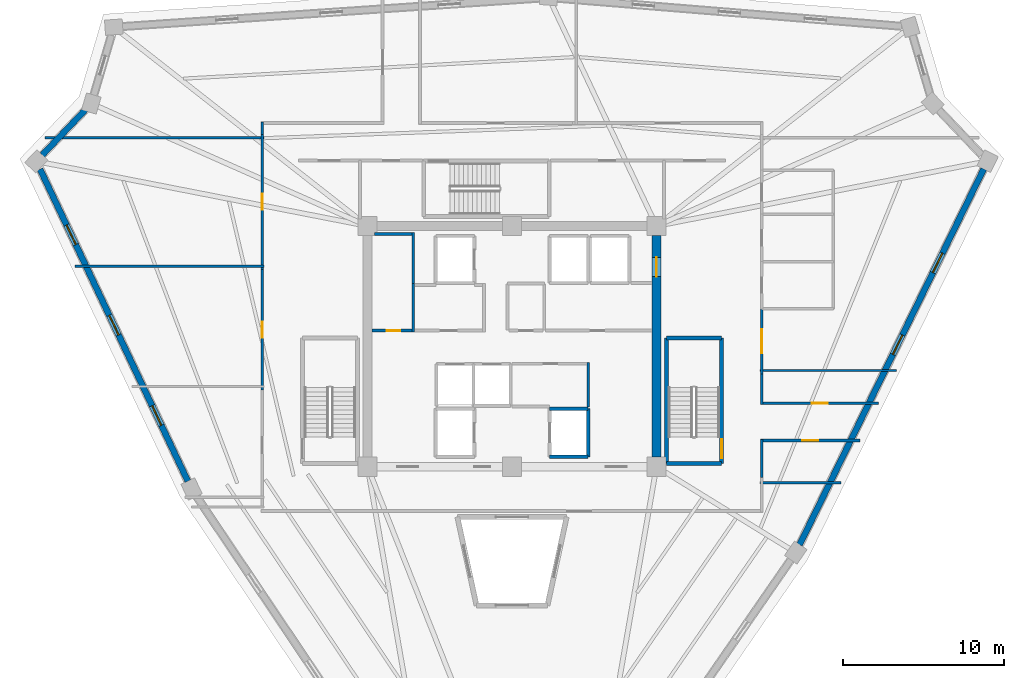
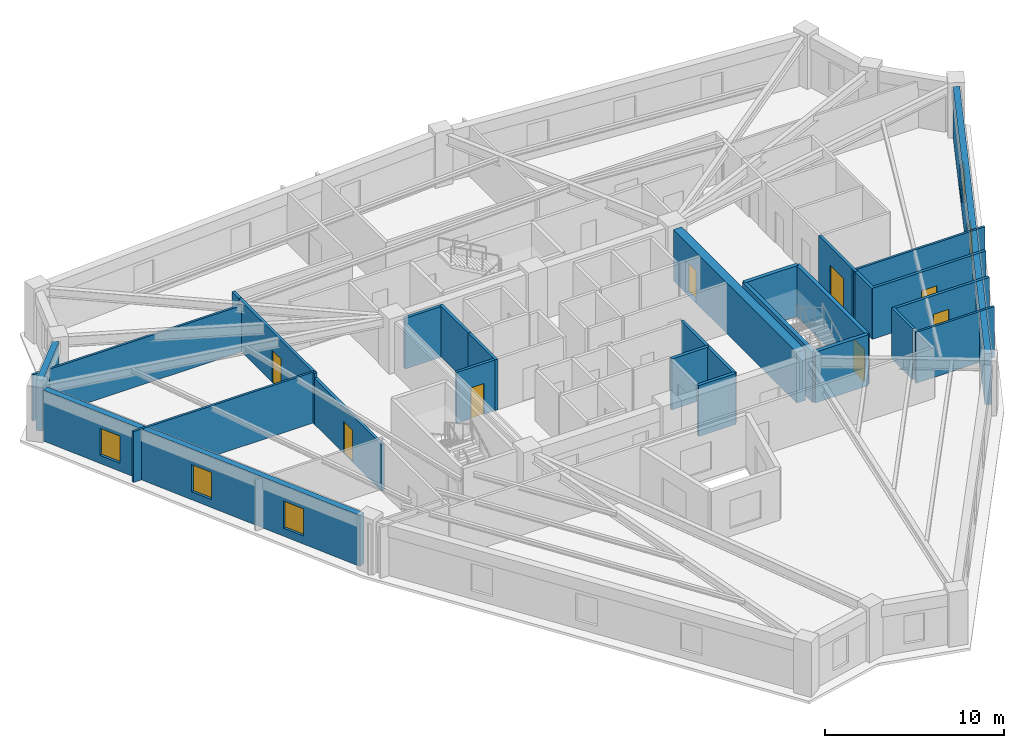
# One storey, part 4 of 8: 28 walls, 8 doors, 5 windows, 13 openings.
"""IFC4 building model written with IfcOpenShell, lengths in metres."""

from ifc_helpers import new_model, si_unit, direction, frame, frame_2d, origin, place, context, subcontext, project, spatial, rectangle, extrude, source, transform, mapped, material, layer, layer_set, type_object, element, fill, save


model = new_model("IFC4")

# Units and contexts
model_context = context("Model", 3, precision=1e-05, world=origin(), true_north=direction((0.0, 1.0)))
body_context = subcontext(model_context, "Body", "Model", "MODEL_VIEW")
ifc_project = project(units=[si_unit("LENGTHUNIT", "METRE"), si_unit("AREAUNIT", "SQUARE_METRE"), si_unit("VOLUMEUNIT", "CUBIC_METRE"), si_unit("PLANEANGLEUNIT", "RADIAN"), si_unit("MASSUNIT", "GRAM", prefix="KILO")], contexts=[model_context])

# Site, building, storey
site_placement = place(None, origin())
site = spatial("IfcSite", under=ifc_project, at=site_placement, CompositionType="ELEMENT")
building_placement = place(site_placement, origin())
building = spatial("IfcBuilding", under=site, at=building_placement, Name="Liaohun Quay Tower", CompositionType="ELEMENT")
storey_placement = place(building_placement, frame((0.0, 0.0, 320.25)))
storey = spatial("IfcBuildingStorey", under=building, at=storey_placement, Name="L83", CompositionType="ELEMENT", Elevation=320.25)

# Wall, opening, door
ifc_material_1 = material(Name="Concrete C50", Category="concrete")
ifc_layer_1 = layer(ifc_material_1, 0.550048828125, Name="Concrete C50", Category="concrete")
ifc_layer_set_1 = layer_set([ifc_layer_1], Name="Concrete C50")
wall_type_1 = type_object("IfcWallType", Name="WAL-COR-Z4", PredefinedType="SHEAR", material=ifc_layer_set_1)
wall_1_placement = place(storey_placement, frame((69.0, 60.89990234375, 0.0), z_axis=(0.0, 0.0, 1.0), x_axis=(0.0, -1.0, 0.0)))
wall_1 = element("IfcWall", 1, at=wall_1_placement, inside=storey, type_object=wall_type_1, Name="L83 Central Core Shear Wall E", PredefinedType="SHEAR", context=body_context, shape_type="SweptSolid", body=[
    extrude(rectangle(XDim=13.7998046875, YDim=0.550048828125, at=frame_2d((6.89990234375, 0.0))), origin(), (0.0, 0.0, 1.0), 3.469970703125),
])
shared_shape_1 = source(origin(), body_context, "Body", "SweptSolid", [
    extrude(rectangle(XDim=1.199951171875, YDim=2.199951171875, at=frame_2d((0.60009765625, 1.10009765625))), frame((0.0, 0.284912109375, 0.0), z_axis=(0.0, -1.0, 0.0), x_axis=(1.0, 0.0, 0.0)), (0.0, 0.0, 1.0), 0.570068359375),
])
opening_1_placement = place(wall_1_placement, frame((1.35009765625, 0.0, 0.0)))
opening_1 = element("IfcOpeningElement", 2, at=opening_1_placement, cuts=wall_1, Name="Opening SD1", PredefinedType="OPENING", context=body_context, shape_type="MappedRepresentation", body=[
    mapped(shared_shape_1, transform((0.0, 0.0, 0.0), x_axis=(1.0, 0.0, 0.0), y_axis=(0.0, 1.0, 0.0), z_axis=(0.0, 0.0, 1.0), scale=1.0)),
])
ifc_material_2 = material(Name="Galvanised steel fire door", Category="steel")
door_type_1 = type_object("IfcDoorType", Name="DOR-STR-1200", OperationType="NOTDEFINED", PredefinedType="DOOR", material=ifc_material_2)
shared_shape_2 = source(origin(), body_context, "Body", "SweptSolid", [
    extrude(rectangle(XDim=1.199951171875, YDim=2.199951171875, at=frame_2d((0.60009765625, 1.10009765625))), frame((0.0, 0.02490234375, 0.0), z_axis=(0.0, -1.0, 0.0), x_axis=(1.0, 0.0, 0.0)), (0.0, 0.0, 1.0), 0.050048828125),
])
door_1_placement = place(opening_1_placement, origin())
door_1 = element("IfcDoor", 3, at=door_1_placement, inside=storey, type_object=door_type_1, Name="L83 North-East Core Lobby Smokeproof Door", OperationType="SINGLE_SWING_LEFT", OverallHeight=2.199951171875, OverallWidth=1.199951171875, PredefinedType="DOOR", context=body_context, shape_type="MappedRepresentation", body=[
    mapped(shared_shape_2, transform((0.0, 0.0, 0.0), x_axis=(1.0, 0.0, 0.0), y_axis=(0.0, 1.0, 0.0), z_axis=(0.0, 0.0, 1.0), scale=1.0)),
])
fill(opening_1, door_1)

# Wall, openings, windows
ifc_material_3 = material(Name="Precast concrete C50 insulated sandwich", Category="concrete")
ifc_layer_2 = layer(ifc_material_3, 0.3798828125, Name="Precast concrete C50 insulated sandwich", Category="concrete")
ifc_layer_set_2 = layer_set([ifc_layer_2], Name="Precast concrete C50 insulated sandwich")
wall_type_2 = type_object("IfcWallType", Name="WAL-EXT-Z34", PredefinedType="SOLIDWALL", material=ifc_layer_set_2)
wall_2_placement = place(storey_placement, frame((77.91796875, 41.638916015625, 0.0), z_axis=(0.0, 0.0, 1.0), x_axis=(0.440053301327, 0.897971654336, 0.0)))
wall_2 = element("IfcWall", 4, at=wall_2_placement, inside=storey, type_object=wall_type_2, Name="L83 Brutalist Precast Pier Wall 03", PredefinedType="SOLIDWALL", context=body_context, shape_type="SweptSolid", body=[
    extrude(rectangle(XDim=26.074462890625, YDim=0.3798828125, at=frame_2d((13.037109375, 0.0))), origin(), (0.0, 0.0, 1.0), 3.469970703125),
])
shared_shape_3 = source(origin(), body_context, "Body", "SweptSolid", [
    extrude(rectangle(XDim=1.35009765625, YDim=1.85009765625, at=frame_2d((0.675048828125, 0.925048828125))), frame((0.0, 0.199951171875, 0.0), z_axis=(0.0, -1.0, 0.0), x_axis=(1.0, 0.0, 0.0)), (0.0, 0.0, 1.0), 0.39990234375),
])
opening_2_placement = place(wall_2_placement, frame((13.2119140625, 0.0, 0.550048828125)))
opening_2 = element("IfcOpeningElement", 5, at=opening_2_placement, cuts=wall_2, Name="Opening W04", PredefinedType="OPENING", context=body_context, shape_type="MappedRepresentation", body=[
    mapped(shared_shape_3, transform((0.0, 0.0, 0.0), x_axis=(1.0, 0.0, 0.0), y_axis=(0.0, 1.0, 0.0), z_axis=(0.0, 0.0, 1.0), scale=1.0)),
])
opening_3_placement = place(wall_2_placement, frame((18.881103515625, 0.0, 0.550048828125)))
opening_3 = element("IfcOpeningElement", 6, at=opening_3_placement, cuts=wall_2, Name="Opening W04", PredefinedType="OPENING", context=body_context, shape_type="MappedRepresentation", body=[
    mapped(shared_shape_3, transform((0.0, 0.0, 0.0), x_axis=(1.0, 0.0, 0.0), y_axis=(0.0, 1.0, 0.0), z_axis=(0.0, 0.0, 1.0), scale=1.0)),
])
ifc_material_4 = material(Name="Triple Low-E argon glazing in thermally broken aluminium", Category="aluminium")
window_type = type_object("IfcWindowType", Name="WIN-PUN-Z4", PartitioningType="SINGLE_PANEL", PredefinedType="WINDOW", material=ifc_material_4)
shared_shape_4 = source(origin(), body_context, "Body", "SweptSolid", [
    extrude(rectangle(XDim=1.35009765625, YDim=1.85009765625, at=frame_2d((0.675048828125, 0.925048828125))), frame((0.0, 0.030029296875, 0.0), z_axis=(0.0, -1.0, 0.0), x_axis=(1.0, 0.0, 0.0)), (0.0, 0.0, 1.0), 0.06005859375),
])
window_1_placement = place(opening_2_placement, origin())
window_1 = element("IfcWindow", 7, at=window_1_placement, inside=storey, type_object=window_type, Name="L83 Recessed Cold-Climate Punched Window 03-2", OverallHeight=1.85009765625, OverallWidth=1.35009765625, PartitioningType="SINGLE_PANEL", PredefinedType="WINDOW", context=body_context, shape_type="MappedRepresentation", body=[
    mapped(shared_shape_4, transform((0.0, 0.0, 0.0), x_axis=(1.0, 0.0, 0.0), y_axis=(0.0, 1.0, 0.0), z_axis=(0.0, 0.0, 1.0), scale=1.0)),
])
fill(opening_2, window_1)
window_2_placement = place(opening_3_placement, origin())
window_2 = element("IfcWindow", 8, at=window_2_placement, inside=storey, type_object=window_type, Name="L83 Recessed Cold-Climate Punched Window 03-3", OverallHeight=1.85009765625, OverallWidth=1.35009765625, PartitioningType="SINGLE_PANEL", PredefinedType="WINDOW", context=body_context, shape_type="MappedRepresentation", body=[
    mapped(shared_shape_4, transform((0.0, 0.0, 0.0), x_axis=(1.0, 0.0, 0.0), y_axis=(0.0, 1.0, 0.0), z_axis=(0.0, 0.0, 1.0), scale=1.0)),
])
fill(opening_3, window_2)

# Wall
wall_3_placement = place(storey_placement, frame((33.41796875, 68.740966796875, 0.0), z_axis=(0.0, 0.0, 1.0), x_axis=(-0.689412230032, -0.72436922704, 0.0)))
element("IfcWall", 9, at=wall_3_placement, inside=storey, type_object=wall_type_2, Name="L83 Brutalist Precast Pier Wall 09", PredefinedType="SOLIDWALL", context=body_context, shape_type="SweptSolid", body=[
    extrude(rectangle(XDim=3.89013671875, YDim=0.3798828125, at=frame_2d((1.945068359375, 0.0))), origin(), (0.0, 0.0, 1.0), 3.469970703125),
])

# Wall, openings, windows
wall_4_placement = place(storey_placement, frame((30.594970703125, 65.0439453125, 0.0), z_axis=(0.0, 0.0, 1.0), x_axis=(0.42803853966, -0.903760481856, 0.0)))
wall_4 = element("IfcWall", 10, at=wall_4_placement, inside=storey, type_object=wall_type_2, Name="L83 Brutalist Precast Pier Wall 10", PredefinedType="SOLIDWALL", context=body_context, shape_type="SweptSolid", body=[
    extrude(rectangle(XDim=21.514404296875, YDim=0.3798828125, at=frame_2d((10.75732421875, 0.0))), origin(), (0.0, 0.0, 1.0), 3.469970703125),
])
opening_4_placement = place(wall_4_placement, frame((3.85400390625, 0.0, 0.550048828125)))
opening_4 = element("IfcOpeningElement", 11, at=opening_4_placement, cuts=wall_4, Name="Opening W04", PredefinedType="OPENING", context=body_context, shape_type="MappedRepresentation", body=[
    mapped(shared_shape_3, transform((0.0, 0.0, 0.0), x_axis=(1.0, 0.0, 0.0), y_axis=(0.0, 1.0, 0.0), z_axis=(0.0, 0.0, 1.0), scale=1.0)),
])
opening_5_placement = place(wall_4_placement, frame((10.08203125, 0.0, 0.550048828125)))
opening_5 = element("IfcOpeningElement", 12, at=opening_5_placement, cuts=wall_4, Name="Opening W04", PredefinedType="OPENING", context=body_context, shape_type="MappedRepresentation", body=[
    mapped(shared_shape_3, transform((0.0, 0.0, 0.0), x_axis=(1.0, 0.0, 0.0), y_axis=(0.0, 1.0, 0.0), z_axis=(0.0, 0.0, 1.0), scale=1.0)),
])
opening_6_placement = place(wall_4_placement, frame((16.31103515625, 0.0, 0.550048828125)))
opening_6 = element("IfcOpeningElement", 13, at=opening_6_placement, cuts=wall_4, Name="Opening W04", PredefinedType="OPENING", context=body_context, shape_type="MappedRepresentation", body=[
    mapped(shared_shape_3, transform((0.0, 0.0, 0.0), x_axis=(1.0, 0.0, 0.0), y_axis=(0.0, 1.0, 0.0), z_axis=(0.0, 0.0, 1.0), scale=1.0)),
])
window_3_placement = place(opening_4_placement, origin())
window_3 = element("IfcWindow", 14, at=window_3_placement, inside=storey, type_object=window_type, Name="L83 Recessed Cold-Climate Punched Window 10-1", OverallHeight=1.85009765625, OverallWidth=1.35009765625, PartitioningType="SINGLE_PANEL", PredefinedType="WINDOW", context=body_context, shape_type="MappedRepresentation", body=[
    mapped(shared_shape_4, transform((0.0, 0.0, 0.0), x_axis=(1.0, 0.0, 0.0), y_axis=(0.0, 1.0, 0.0), z_axis=(0.0, 0.0, 1.0), scale=1.0)),
])
fill(opening_4, window_3)
window_4_placement = place(opening_5_placement, origin())
window_4 = element("IfcWindow", 15, at=window_4_placement, inside=storey, type_object=window_type, Name="L83 Recessed Cold-Climate Punched Window 10-2", OverallHeight=1.85009765625, OverallWidth=1.35009765625, PartitioningType="SINGLE_PANEL", PredefinedType="WINDOW", context=body_context, shape_type="MappedRepresentation", body=[
    mapped(shared_shape_4, transform((0.0, 0.0, 0.0), x_axis=(1.0, 0.0, 0.0), y_axis=(0.0, 1.0, 0.0), z_axis=(0.0, 0.0, 1.0), scale=1.0)),
])
fill(opening_5, window_4)
window_5_placement = place(opening_6_placement, origin())
window_5 = element("IfcWindow", 16, at=window_5_placement, inside=storey, type_object=window_type, Name="L83 Recessed Cold-Climate Punched Window 10-3", OverallHeight=1.85009765625, OverallWidth=1.35009765625, PartitioningType="SINGLE_PANEL", PredefinedType="WINDOW", context=body_context, shape_type="MappedRepresentation", body=[
    mapped(shared_shape_4, transform((0.0, 0.0, 0.0), x_axis=(1.0, 0.0, 0.0), y_axis=(0.0, 1.0, 0.0), z_axis=(0.0, 0.0, 1.0), scale=1.0)),
])
fill(opening_6, window_5)

# Wall, opening, door
ifc_material_5 = material(Name="Autoclaved aerated concrete blockwork", Category="masonry")
ifc_layer_3 = layer(ifc_material_5, 0.179931640625, Name="Autoclaved aerated concrete blockwork", Category="masonry")
ifc_layer_set_3 = layer_set([ifc_layer_3], Name="Autoclaved aerated concrete blockwork")
wall_type_3 = type_object("IfcWallType", Name="WAL-PRT-COR", PredefinedType="PARTITIONING", material=ifc_layer_set_3)
wall_5_placement = place(storey_placement, frame((51.27490234375, 54.97998046875, 0.0), z_axis=(0.0, 0.0, 1.0), x_axis=(1.0, 0.0, 0.0)))
wall_5 = element("IfcWall", 17, at=wall_5_placement, inside=storey, type_object=wall_type_3, Name="L83 Interior Partition Wall 003", PredefinedType="PARTITIONING", context=body_context, shape_type="SweptSolid", body=[
    extrude(rectangle(XDim=2.485107421875, YDim=0.179931640625, at=frame_2d((1.24267578125, 0.0))), origin(), (0.0, 0.0, 1.0), 3.469970703125),
])
shared_shape_5 = source(origin(), body_context, "Body", "SweptSolid", [
    extrude(rectangle(XDim=0.85009765625, YDim=2.10009765625, at=frame_2d((0.425048828125, 1.050048828125))), frame((0.0, 0.099853515625, 0.0), z_axis=(0.0, -1.0, 0.0), x_axis=(1.0, 0.0, 0.0)), (0.0, 0.0, 1.0), 0.199951171875),
])
opening_7_placement = place(wall_5_placement, frame((0.9150390625, 0.0, 0.0)))
opening_7 = element("IfcOpeningElement", 18, at=opening_7_placement, cuts=wall_5, Name="Opening AD1", PredefinedType="OPENING", context=body_context, shape_type="MappedRepresentation", body=[
    mapped(shared_shape_5, transform((0.0, 0.0, 0.0), x_axis=(1.0, 0.0, 0.0), y_axis=(0.0, 1.0, 0.0), z_axis=(0.0, 0.0, 1.0), scale=1.0)),
])
ifc_material_6 = material(Name="Steel riser inspection fire door", Category="steel")
door_type_2 = type_object("IfcDoorType", Name="DOR-SHF-850", OperationType="NOTDEFINED", PredefinedType="DOOR", material=ifc_material_6)
shared_shape_6 = source(origin(), body_context, "Body", "SweptSolid", [
    extrude(rectangle(XDim=0.85009765625, YDim=2.10009765625, at=frame_2d((0.425048828125, 1.050048828125))), frame((0.0, 0.02490234375, 0.0), z_axis=(0.0, -1.0, 0.0), x_axis=(1.0, 0.0, 0.0)), (0.0, 0.0, 1.0), 0.050048828125),
])
door_2_placement = place(opening_7_placement, origin())
door_2 = element("IfcDoor", 19, at=door_2_placement, inside=storey, type_object=door_type_2, Name="L83 Core High-Zone Archive and Riser Store Door", OperationType="SINGLE_SWING_RIGHT", OverallHeight=2.10009765625, OverallWidth=0.85009765625, PredefinedType="DOOR", context=body_context, shape_type="MappedRepresentation", body=[
    mapped(shared_shape_6, transform((0.0, 0.0, 0.0), x_axis=(1.0, 0.0, 0.0), y_axis=(0.0, 1.0, 0.0), z_axis=(0.0, 0.0, 1.0), scale=1.0)),
])
fill(opening_7, door_2)

wall_6_placement = place(storey_placement, frame((75.56005859375, 56.340087890625, 0.0), z_axis=(0.0, 0.0, 1.0), x_axis=(0.0, -1.0, 0.0)))
wall_6 = element("IfcWall", 20, at=wall_6_placement, inside=storey, type_object=wall_type_3, Name="L83 Interior Partition Wall 013", PredefinedType="PARTITIONING", context=body_context, shape_type="SweptSolid", body=[
    extrude(rectangle(XDim=4.05517578125, YDim=0.179931640625, at=frame_2d((2.027587890625, 0.0))), origin(), (0.0, 0.0, 1.0), 3.469970703125),
])
shared_shape_7 = source(origin(), body_context, "Body", "SweptSolid", [
    extrude(rectangle(XDim=1.5, YDim=2.199951171875, at=frame_2d((0.75, 1.10009765625))), frame((0.0, 0.099853515625, 0.0), z_axis=(0.0, -1.0, 0.0), x_axis=(1.0, 0.0, 0.0)), (0.0, 0.0, 1.0), 0.199951171875),
])
opening_8_placement = place(wall_6_placement, frame((1.278076171875, 0.0, 0.0)))
opening_8 = element("IfcOpeningElement", 21, at=opening_8_placement, cuts=wall_6, Name="Opening OD2", PredefinedType="OPENING", context=body_context, shape_type="MappedRepresentation", body=[
    mapped(shared_shape_7, transform((0.0, 0.0, 0.0), x_axis=(1.0, 0.0, 0.0), y_axis=(0.0, 1.0, 0.0), z_axis=(0.0, 0.0, 1.0), scale=1.0)),
])
ifc_material_7 = material(Name="Acoustic oak veneer double door")
door_type_3 = type_object("IfcDoorType", Name="DOR-OFF-1500", OperationType="DOUBLE_DOOR_SINGLE_SWING", PredefinedType="DOOR", material=ifc_material_7)
shared_shape_8 = source(origin(), body_context, "Body", "SweptSolid", [
    extrude(rectangle(XDim=1.5, YDim=2.199951171875, at=frame_2d((0.75, 1.10009765625))), frame((0.0, 0.02490234375, 0.0), z_axis=(0.0, -1.0, 0.0), x_axis=(1.0, 0.0, 0.0)), (0.0, 0.0, 1.0), 0.050048828125),
])
door_3_placement = place(opening_8_placement, origin())
door_3 = element("IfcDoor", 22, at=door_3_placement, inside=storey, type_object=door_type_3, Name="L83 Occupational Wellness Clinic 01 Door", OperationType="DOUBLE_DOOR_SINGLE_SWING", OverallHeight=2.199951171875, OverallWidth=1.5, PredefinedType="DOOR", context=body_context, shape_type="MappedRepresentation", body=[
    mapped(shared_shape_8, transform((0.0, 0.0, 0.0), x_axis=(1.0, 0.0, 0.0), y_axis=(0.0, 1.0, 0.0), z_axis=(0.0, 0.0, 1.0), scale=1.0)),
])
fill(opening_8, door_3)

wall_7_placement = place(storey_placement, frame((44.43994140625, 58.784912109375, 0.0), z_axis=(0.0, 0.0, 1.0), x_axis=(0.0, 1.0, 0.0)))
wall_7 = element("IfcWall", 23, at=wall_7_placement, inside=storey, type_object=wall_type_3, Name="L83 Interior Partition Wall 017", PredefinedType="PARTITIONING", context=body_context, shape_type="SweptSolid", body=[
    extrude(rectangle(XDim=8.43017578125, YDim=0.179931640625, at=frame_2d((4.215087890625, 0.0))), origin(), (0.0, 0.0, 1.0), 3.469970703125),
])
shared_shape_9 = source(origin(), body_context, "Body", "SweptSolid", [
    extrude(rectangle(XDim=1.0, YDim=2.199951171875, at=frame_2d((0.5, 1.10009765625))), frame((0.0, 0.099853515625, 0.0), z_axis=(0.0, -1.0, 0.0), x_axis=(1.0, 0.0, 0.0)), (0.0, 0.0, 1.0), 0.199951171875),
])
opening_9_placement = place(wall_7_placement, frame((3.715087890625, 0.0, 0.0)))
opening_9 = element("IfcOpeningElement", 24, at=opening_9_placement, cuts=wall_7, Name="Opening OD1", PredefinedType="OPENING", context=body_context, shape_type="MappedRepresentation", body=[
    mapped(shared_shape_9, transform((0.0, 0.0, 0.0), x_axis=(1.0, 0.0, 0.0), y_axis=(0.0, 1.0, 0.0), z_axis=(0.0, 0.0, 1.0), scale=1.0)),
])
ifc_material_8 = material(Name="Solid-core oak veneer timber leaf in steel frame", Category="steel")
door_type_4 = type_object("IfcDoorType", Name="DOR-OFF-1000", OperationType="NOTDEFINED", PredefinedType="DOOR", material=ifc_material_8)
shared_shape_10 = source(origin(), body_context, "Body", "SweptSolid", [
    extrude(rectangle(XDim=1.0, YDim=2.199951171875, at=frame_2d((0.5, 1.10009765625))), frame((0.0, 0.02490234375, 0.0), z_axis=(0.0, -1.0, 0.0), x_axis=(1.0, 0.0, 0.0)), (0.0, 0.0, 1.0), 0.050048828125),
])
door_4_placement = place(opening_9_placement, origin())
door_4 = element("IfcDoor", 25, at=door_4_placement, inside=storey, type_object=door_type_4, Name="L83 Client Collaboration Lounge 05 Door", OperationType="SINGLE_SWING_RIGHT", OverallHeight=2.199951171875, OverallWidth=1.0, PredefinedType="DOOR", context=body_context, shape_type="MappedRepresentation", body=[
    mapped(shared_shape_10, transform((0.0, 0.0, 0.0), x_axis=(1.0, 0.0, 0.0), y_axis=(0.0, 1.0, 0.0), z_axis=(0.0, 0.0, 1.0), scale=1.0)),
])
fill(opening_9, door_4)

wall_8_placement = place(storey_placement, frame((44.43994140625, 51.284912109375, 0.0), z_axis=(0.0, 0.0, 1.0), x_axis=(0.0, 1.0, 0.0)))
wall_8 = element("IfcWall", 26, at=wall_8_placement, inside=storey, type_object=wall_type_3, Name="L83 Interior Partition Wall 018", PredefinedType="PARTITIONING", context=body_context, shape_type="SweptSolid", body=[
    extrude(rectangle(XDim=7.5, YDim=0.179931640625, at=frame_2d((3.75, 0.0))), origin(), (0.0, 0.0, 1.0), 3.160888671875),
])
opening_10_placement = place(wall_8_placement, frame((3.25, 0.0, 0.0)))
opening_10 = element("IfcOpeningElement", 27, at=opening_10_placement, cuts=wall_8, Name="Opening OD1", PredefinedType="OPENING", context=body_context, shape_type="MappedRepresentation", body=[
    mapped(shared_shape_9, transform((0.0, 0.0, 0.0), x_axis=(1.0, 0.0, 0.0), y_axis=(0.0, 1.0, 0.0), z_axis=(0.0, 0.0, 1.0), scale=1.0)),
])
door_5_placement = place(opening_10_placement, origin())
door_5 = element("IfcDoor", 28, at=door_5_placement, inside=storey, type_object=door_type_4, Name="L83 Staff Tea Kitchen and Pantry 06 Door", OperationType="SINGLE_SWING_LEFT", OverallHeight=2.199951171875, OverallWidth=1.0, PredefinedType="DOOR", context=body_context, shape_type="MappedRepresentation", body=[
    mapped(shared_shape_10, transform((0.0, 0.0, 0.0), x_axis=(1.0, 0.0, 0.0), y_axis=(0.0, 1.0, 0.0), z_axis=(0.0, 0.0, 1.0), scale=1.0)),
])
fill(opening_10, door_5)

wall_9_placement = place(storey_placement, frame((81.697021484375, 48.139892578125, 0.0), z_axis=(0.0, 0.0, 1.0), x_axis=(-1.0, 0.0, 0.0)))
wall_9 = element("IfcWall", 29, at=wall_9_placement, inside=storey, type_object=wall_type_3, Name="L83 Interior Partition Wall 021", PredefinedType="PARTITIONING", context=body_context, shape_type="SweptSolid", body=[
    extrude(rectangle(XDim=6.20703125, YDim=0.179931640625, at=frame_2d((3.103515625, 0.0))), origin(), (0.0, 0.0, 1.0), 3.469970703125),
])
opening_11_placement = place(wall_9_placement, frame((2.60400390625, 0.0, 0.0)))
opening_11 = element("IfcOpeningElement", 30, at=opening_11_placement, cuts=wall_9, Name="Opening OD1", PredefinedType="OPENING", context=body_context, shape_type="MappedRepresentation", body=[
    mapped(shared_shape_9, transform((0.0, 0.0, 0.0), x_axis=(1.0, 0.0, 0.0), y_axis=(0.0, 1.0, 0.0), z_axis=(0.0, 0.0, 1.0), scale=1.0)),
])
door_6_placement = place(opening_11_placement, origin())
door_6 = element("IfcDoor", 31, at=door_6_placement, inside=storey, type_object=door_type_4, Name="L83 Records Archive Store 09 Door", OperationType="SINGLE_SWING_RIGHT", OverallHeight=2.199951171875, OverallWidth=1.0, PredefinedType="DOOR", context=body_context, shape_type="MappedRepresentation", body=[
    mapped(shared_shape_10, transform((0.0, 0.0, 0.0), x_axis=(1.0, 0.0, 0.0), y_axis=(0.0, 1.0, 0.0), z_axis=(0.0, 0.0, 1.0), scale=1.0)),
])
fill(opening_11, door_6)

wall_10_placement = place(storey_placement, frame((75.489990234375, 50.4599609375, 0.0), z_axis=(0.0, 0.0, 1.0), x_axis=(1.0, 0.0, 0.0)))
wall_10 = element("IfcWall", 32, at=wall_10_placement, inside=storey, type_object=wall_type_3, Name="L83 Interior Partition Wall 022", PredefinedType="PARTITIONING", context=body_context, shape_type="SweptSolid", body=[
    extrude(rectangle(XDim=7.343994140625, YDim=0.179931640625, at=frame_2d((3.671875, 0.0))), origin(), (0.0, 0.0, 1.0), 3.469970703125),
])
opening_12_placement = place(wall_10_placement, frame((3.172119140625, 0.0, 0.0)))
opening_12 = element("IfcOpeningElement", 33, at=opening_12_placement, cuts=wall_10, Name="Opening OD1", PredefinedType="OPENING", context=body_context, shape_type="MappedRepresentation", body=[
    mapped(shared_shape_9, transform((0.0, 0.0, 0.0), x_axis=(1.0, 0.0, 0.0), y_axis=(0.0, 1.0, 0.0), z_axis=(0.0, 0.0, 1.0), scale=1.0)),
])
door_7_placement = place(opening_12_placement, origin())
door_7 = element("IfcDoor", 34, at=door_7_placement, inside=storey, type_object=door_type_4, Name="L83 Open-Plan Office Workplace 10 Door", OperationType="SINGLE_SWING_LEFT", OverallHeight=2.199951171875, OverallWidth=1.0, PredefinedType="DOOR", context=body_context, shape_type="MappedRepresentation", body=[
    mapped(shared_shape_10, transform((0.0, 0.0, 0.0), x_axis=(1.0, 0.0, 0.0), y_axis=(0.0, 1.0, 0.0), z_axis=(0.0, 0.0, 1.0), scale=1.0)),
])
fill(opening_12, door_7)

# Walls
wall_11_placement = place(storey_placement, frame((44.43994140625, 67.215087890625, 0.0), z_axis=(0.0, 0.0, 1.0), x_axis=(0.0, 1.0, 0.0)))
element("IfcWall", 35, at=wall_11_placement, inside=storey, type_object=wall_type_3, Name="L83 Interior Partition Wall 037", PredefinedType="PARTITIONING", context=body_context, shape_type="SweptSolid", body=[
    extrude(rectangle(XDim=0.764892578125, YDim=0.179931640625, at=frame_2d((0.38232421875, 0.0))), origin(), (0.0, 0.0, 1.0), 3.469970703125),
])
wall_12_placement = place(storey_placement, frame((75.56005859375, 48.2099609375, 0.0), z_axis=(0.0, 0.0, 1.0), x_axis=(0.0, -1.0, 0.0)))
element("IfcWall", 36, at=wall_12_placement, inside=storey, type_object=wall_type_3, Name="L83 Interior Partition Wall 039", PredefinedType="PARTITIONING", context=body_context, shape_type="SweptSolid", body=[
    extrude(rectangle(XDim=2.375, YDim=0.179931640625, at=frame_2d((1.1875, 0.0))), origin(), (0.0, 0.0, 1.0), 3.469970703125),
])
wall_13_placement = place(storey_placement, frame((75.56005859375, 52.284912109375, 0.0), z_axis=(0.0, 0.0, 1.0), x_axis=(0.0, -1.0, 0.0)))
element("IfcWall", 37, at=wall_13_placement, inside=storey, type_object=wall_type_3, Name="L83 Interior Partition Wall 040", PredefinedType="PARTITIONING", context=body_context, shape_type="SweptSolid", body=[
    extrude(rectangle(XDim=1.89501953125, YDim=0.179931640625, at=frame_2d((0.947509765625, 0.0))), origin(), (0.0, 0.0, 1.0), 3.469970703125),
])
wall_14_placement = place(storey_placement, frame((64.75, 50.219970703125, 0.0), z_axis=(0.0, 0.0, 1.0), x_axis=(0.0, 1.0, 0.0)))
element("IfcWall", 38, at=wall_14_placement, inside=storey, type_object=wall_type_3, Name="L83 Interior Partition Wall 050", PredefinedType="PARTITIONING", context=body_context, shape_type="SweptSolid", body=[
    extrude(rectangle(XDim=2.7900390625, YDim=0.179931640625, at=frame_2d((1.39501953125, 0.0))), origin(), (0.0, 0.0, 1.0), 3.469970703125),
])
wall_15_placement = place(storey_placement, frame((53.85009765625, 54.889892578125, 0.0), z_axis=(0.0, 0.0, 1.0), x_axis=(0.0, 1.0, 0.0)))
element("IfcWall", 39, at=wall_15_placement, inside=storey, type_object=wall_type_3, Name="L83 Interior Partition Wall 052", PredefinedType="PARTITIONING", context=body_context, shape_type="SweptSolid", body=[
    extrude(rectangle(XDim=3.02001953125, YDim=0.179931640625, at=frame_2d((1.510009765625, 0.0))), origin(), (0.0, 0.0, 1.0), 3.469970703125),
])
wall_16_placement = place(storey_placement, frame((53.85009765625, 57.909912109375, 0.0), z_axis=(0.0, 0.0, 1.0), x_axis=(0.0, 1.0, 0.0)))
element("IfcWall", 40, at=wall_16_placement, inside=storey, type_object=wall_type_3, Name="L83 Interior Partition Wall 056", PredefinedType="PARTITIONING", context=body_context, shape_type="SweptSolid", body=[
    extrude(rectangle(XDim=3.18017578125, YDim=0.179931640625, at=frame_2d((1.590087890625, 0.0))), origin(), (0.0, 0.0, 1.0), 3.469970703125),
])
wall_17_placement = place(storey_placement, frame((51.43701171875, 61.0, 0.0), z_axis=(0.0, 0.0, 1.0), x_axis=(1.0, 0.0, 0.0)))
element("IfcWall", 41, at=wall_17_placement, inside=storey, type_object=wall_type_3, Name="L83 Interior Partition Wall 057", PredefinedType="PARTITIONING", context=body_context, shape_type="SweptSolid", body=[
    extrude(rectangle(XDim=2.322998046875, YDim=0.179931640625, at=frame_2d((1.16162109375, 0.0))), origin(), (0.0, 0.0, 1.0), 3.469970703125),
])
ifc_material_9 = material(Name="Gypsum board on twin steel studs", Category="steel")
ifc_layer_4 = layer(ifc_material_9, 0.139892578125, Name="Gypsum board on twin steel studs", Category="steel")
ifc_layer_set_4 = layer_set([ifc_layer_4], Name="Gypsum board on twin steel studs")
wall_type_4 = type_object("IfcWallType", Name="WAL-PRT-OFF", PredefinedType="PARTITIONING", material=ifc_layer_set_4)
wall_18_placement = place(storey_placement, frame((44.5400390625, 59.0, 0.0), z_axis=(0.0, 0.0, 1.0), x_axis=(-1.0, 0.0, 0.0)))
element("IfcWall", 42, at=wall_18_placement, inside=storey, type_object=wall_type_4, Name="L83 Interior Partition Wall 044", PredefinedType="PARTITIONING", context=body_context, shape_type="SweptSolid", body=[
    extrude(rectangle(XDim=11.780029296875, YDim=0.139892578125, at=frame_2d((5.89013671875, 0.0))), origin(), (0.0, 0.0, 1.0), 3.469970703125),
])
wall_19_placement = place(storey_placement, frame((44.5400390625, 67.0, 0.0), z_axis=(0.0, 0.0, 1.0), x_axis=(-1.0, 0.0, 0.0)))
element("IfcWall", 43, at=wall_19_placement, inside=storey, type_object=wall_type_4, Name="L83 Interior Partition Wall 045", PredefinedType="PARTITIONING", context=body_context, shape_type="SweptSolid", body=[
    extrude(rectangle(XDim=13.64794921875, YDim=0.139892578125, at=frame_2d((6.823974609375, 0.0))), origin(), (0.0, 0.0, 1.0), 3.160888671875),
])
wall_20_placement = place(storey_placement, frame((75.4599609375, 45.5, 0.0), z_axis=(0.0, 0.0, 1.0), x_axis=(1.0, 0.0, 0.0)))
element("IfcWall", 44, at=wall_20_placement, inside=storey, type_object=wall_type_4, Name="L83 Interior Partition Wall 046", PredefinedType="PARTITIONING", context=body_context, shape_type="SweptSolid", body=[
    extrude(rectangle(XDim=5.051025390625, YDim=0.139892578125, at=frame_2d((2.525390625, 0.0))), origin(), (0.0, 0.0, 1.0), 3.469970703125),
])
wall_21_placement = place(storey_placement, frame((75.4599609375, 52.5, 0.0), z_axis=(0.0, 0.0, 1.0), x_axis=(1.0, 0.0, 0.0)))
element("IfcWall", 45, at=wall_21_placement, inside=storey, type_object=wall_type_4, Name="L83 Interior Partition Wall 047", PredefinedType="PARTITIONING", context=body_context, shape_type="SweptSolid", body=[
    extrude(rectangle(XDim=8.48193359375, YDim=0.139892578125, at=frame_2d((4.240966796875, 0.0))), origin(), (0.0, 0.0, 1.0), 3.469970703125),
])
ifc_layer_5 = layer(ifc_material_1, 0.239990234375, Name="Concrete C50", Category="concrete")
ifc_layer_set_5 = layer_set([ifc_layer_5], Name="Concrete C50")
wall_type_5 = type_object("IfcWallType", Name="WAL-SHF-200", PredefinedType="SOLIDWALL", material=ifc_layer_set_5)
wall_22_placement = place(storey_placement, frame((69.6201171875, 46.699951171875, 0.0), z_axis=(0.0, 0.0, 1.0), x_axis=(1.0, 0.0, 0.0)))
element("IfcWall", 46, at=wall_22_placement, inside=storey, type_object=wall_type_5, Name="L83 Stairwell ST-2 Structural Core Wall S", PredefinedType="SOLIDWALL", context=body_context, shape_type="SweptSolid", body=[
    extrude(rectangle(XDim=3.43994140625, YDim=0.239990234375, at=frame_2d((1.719970703125, 0.0))), origin(), (0.0, 0.0, 1.0), 3.469970703125),
])

# Wall, opening, door
wall_23_placement = place(storey_placement, frame((73.06005859375, 46.699951171875, 0.0), z_axis=(0.0, 0.0, 1.0), x_axis=(0.0, 1.0, 0.0)))
wall_23 = element("IfcWall", 47, at=wall_23_placement, inside=storey, type_object=wall_type_5, Name="L83 Stairwell ST-2 Structural Core Wall E", PredefinedType="SOLIDWALL", context=body_context, shape_type="SweptSolid", body=[
    extrude(rectangle(XDim=7.820068359375, YDim=0.239990234375, at=frame_2d((3.91015625, 0.0))), origin(), (0.0, 0.0, 1.0), 3.469970703125),
])
shared_shape_11 = source(origin(), body_context, "Body", "SweptSolid", [
    extrude(rectangle(XDim=1.199951171875, YDim=2.199951171875, at=frame_2d((0.60009765625, 1.10009765625))), frame((0.0, 0.1298828125, 0.0), z_axis=(0.0, -1.0, 0.0), x_axis=(1.0, 0.0, 0.0)), (0.0, 0.0, 1.0), 0.260009765625),
])
opening_13_placement = place(wall_23_placement, frame((0.320068359375, 0.0, 0.0)))
opening_13 = element("IfcOpeningElement", 48, at=opening_13_placement, cuts=wall_23, Name="Opening SD1", PredefinedType="OPENING", context=body_context, shape_type="MappedRepresentation", body=[
    mapped(shared_shape_11, transform((0.0, 0.0, 0.0), x_axis=(1.0, 0.0, 0.0), y_axis=(0.0, 1.0, 0.0), z_axis=(0.0, 0.0, 1.0), scale=1.0)),
])
door_8_placement = place(opening_13_placement, origin())
door_8 = element("IfcDoor", 49, at=door_8_placement, inside=storey, type_object=door_type_1, Name="L83 Protected Stair ST-2 Fire Door", OperationType="SINGLE_SWING_RIGHT", OverallHeight=2.199951171875, OverallWidth=1.199951171875, PredefinedType="DOOR", context=body_context, shape_type="MappedRepresentation", body=[
    mapped(shared_shape_2, transform((0.0, 0.0, 0.0), x_axis=(1.0, 0.0, 0.0), y_axis=(0.0, 1.0, 0.0), z_axis=(0.0, 0.0, 1.0), scale=1.0)),
])
fill(opening_13, door_8)

# Walls
wall_24_placement = place(storey_placement, frame((73.06005859375, 54.52001953125, 0.0), z_axis=(0.0, 0.0, 1.0), x_axis=(-1.0, 0.0, 0.0)))
element("IfcWall", 50, at=wall_24_placement, inside=storey, type_object=wall_type_5, Name="L83 Stairwell ST-2 Structural Core Wall N", PredefinedType="SOLIDWALL", context=body_context, shape_type="SweptSolid", body=[
    extrude(rectangle(XDim=3.43994140625, YDim=0.239990234375, at=frame_2d((1.719970703125, 0.0))), origin(), (0.0, 0.0, 1.0), 3.469970703125),
])
wall_25_placement = place(storey_placement, frame((69.6201171875, 54.52001953125, 0.0), z_axis=(0.0, 0.0, 1.0), x_axis=(0.0, -1.0, 0.0)))
element("IfcWall", 51, at=wall_25_placement, inside=storey, type_object=wall_type_5, Name="L83 Stairwell ST-2 Structural Core Wall W", PredefinedType="SOLIDWALL", context=body_context, shape_type="SweptSolid", body=[
    extrude(rectangle(XDim=7.820068359375, YDim=0.239990234375, at=frame_2d((3.91015625, 0.0))), origin(), (0.0, 0.0, 1.0), 3.469970703125),
])
wall_26_placement = place(storey_placement, frame((62.35009765625, 47.1201171875, 0.0), z_axis=(0.0, 0.0, 1.0), x_axis=(1.0, 0.0, 0.0)))
element("IfcWall", 52, at=wall_26_placement, inside=storey, type_object=wall_type_5, Name="L83 Lift FF-02 Hoistway Wall S", PredefinedType="SOLIDWALL", context=body_context, shape_type="SweptSolid", body=[
    extrude(rectangle(XDim=2.39990234375, YDim=0.199951171875, at=frame_2d((1.199951171875, 0.0))), origin(), (0.0, 0.0, 1.0), 3.469970703125),
])
wall_27_placement = place(storey_placement, frame((64.75, 47.1201171875, 0.0), z_axis=(0.0, 0.0, 1.0), x_axis=(0.0, 1.0, 0.0)))
element("IfcWall", 53, at=wall_27_placement, inside=storey, type_object=wall_type_5, Name="L83 Lift FF-02 Hoistway Wall E", PredefinedType="SOLIDWALL", context=body_context, shape_type="SweptSolid", body=[
    extrude(rectangle(XDim=3.0, YDim=0.199951171875, at=frame_2d((1.5, 0.0))), origin(), (0.0, 0.0, 1.0), 3.469970703125),
])
wall_28_placement = place(storey_placement, frame((64.75, 50.1201171875, 0.0), z_axis=(0.0, 0.0, 1.0), x_axis=(-1.0, 0.0, 0.0)))
element("IfcWall", 54, at=wall_28_placement, inside=storey, type_object=wall_type_5, Name="L83 Lift FF-02 Hoistway Wall N", PredefinedType="SOLIDWALL", context=body_context, shape_type="SweptSolid", body=[
    extrude(rectangle(XDim=2.39990234375, YDim=0.199951171875, at=frame_2d((1.199951171875, 0.0))), origin(), (0.0, 0.0, 1.0), 3.469970703125),
])

save(model, "model.ifc")
